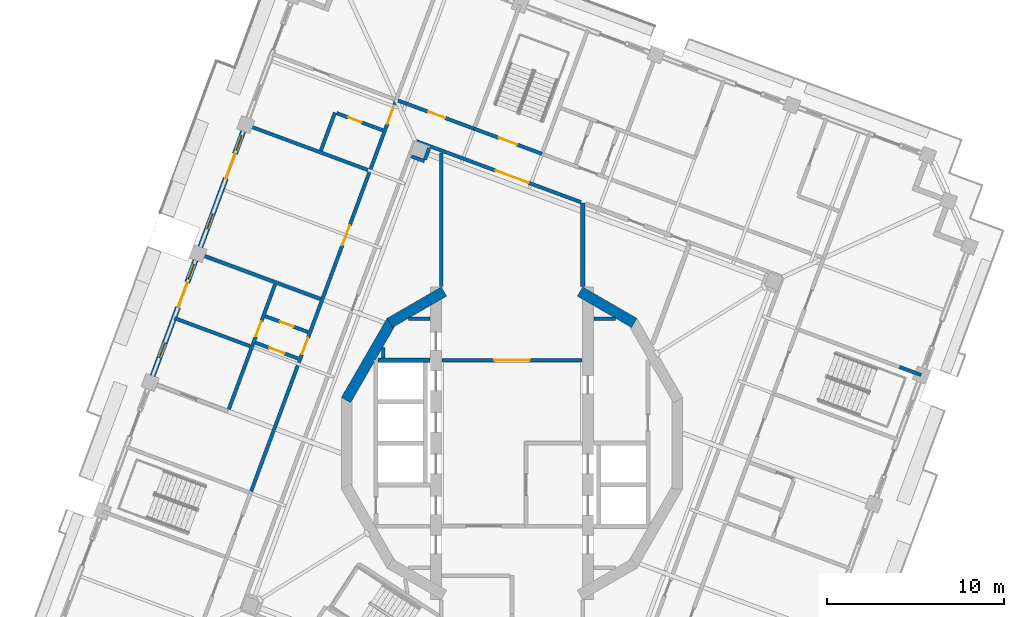
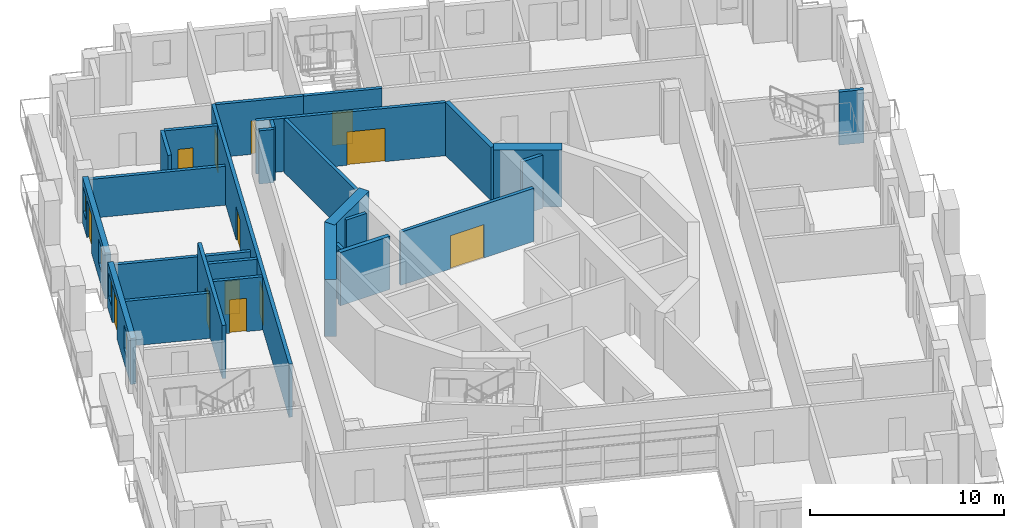
# One storey, part 9 of 19: 27 walls, 13 doors, 4 windows, 17 openings.
"""IFC4 building model written with IfcOpenShell, lengths in metres."""

from ifc_helpers import new_model, si_unit, direction, frame, frame_2d, origin, place, context, subcontext, project, spatial, rectangle, extrude, material, layer, layer_set, type_object, element, fill, save


model = new_model("IFC4")

# Units and contexts
model_context = context("Model", 3, precision=1e-05, world=origin(), true_north=direction((0.0, 1.0)))
body_context = subcontext(model_context, "Body", "Model", "MODEL_VIEW")
ifc_project = project(units=[si_unit("LENGTHUNIT", "METRE"), si_unit("AREAUNIT", "SQUARE_METRE"), si_unit("VOLUMEUNIT", "CUBIC_METRE"), si_unit("PLANEANGLEUNIT", "RADIAN"), si_unit("MASSUNIT", "GRAM", prefix="KILO")], contexts=[model_context])

# Site, building, storey
site_placement = place(None, origin())
site = spatial("IfcSite", under=ifc_project, at=site_placement, CompositionType="ELEMENT")
building_placement = place(site_placement, origin())
building = spatial("IfcBuilding", under=site, at=building_placement, Name="Cantera Rosa Tower", CompositionType="ELEMENT")
storey_placement = place(building_placement, frame((0.0, 0.0, 324.10009765625)))
storey = spatial("IfcBuildingStorey", under=building, at=storey_placement, Name="L72", CompositionType="ELEMENT", Elevation=324.10009765625)

# Wall, openings, doors
ifc_material_1 = material(Name="Gypsum board partition")
ifc_layer_1 = layer(ifc_material_1, 0.199951171875)
ifc_layer_set_1 = layer_set([ifc_layer_1], Name="CORRIDOR WALL 200 H3350")
wall_type_1 = type_object("IfcWallType", Name="CORRIDOR WALL 200 H3350", PredefinedType="PARTITIONING", material=ifc_layer_set_1)
wall_1_placement = place(storey_placement, frame((-6.5537109375, 19.438720703125, 0.0), z_axis=(0.0, 0.0, 1.0), x_axis=(-0.347483565428, -0.937686073138, 0.0)))
wall_1 = element("IfcWall", 1, at=wall_1_placement, inside=storey, type_object=wall_type_1, Name="CORRIDOR WALL L72-037", PredefinedType="PARTITIONING", context=body_context, shape_type="SweptSolid", body=[
    extrude(rectangle(XDim=23.730224609375, YDim=0.199951171875, at=frame_2d((11.865234375, 0.0))), origin(), (0.0, 0.0, 1.0), 3.349853515625),
])
opening_1_placement = place(wall_1_placement, frame((7.570068359375, 0.0, 0.0)))
opening_1 = element("IfcOpeningElement", 2, at=opening_1_placement, cuts=wall_1, Name="Opening L72-027", PredefinedType="OPENING", context=body_context, shape_type="SweptSolid", body=[
    extrude(rectangle(XDim=1.199951171875, YDim=2.10009765625, at=frame_2d((0.60009765625, 1.050048828125))), frame((0.0, 0.10986328125, 0.0), z_axis=(0.0, -1.0, 0.0), x_axis=(1.0, 0.0, 0.0)), (0.0, 0.0, 1.0), 0.219970703125),
])
opening_2_placement = place(wall_1_placement, frame((14.360107421875, 0.0, 0.0)))
opening_2 = element("IfcOpeningElement", 3, at=opening_2_placement, cuts=wall_1, Name="Opening L72-028", PredefinedType="OPENING", context=body_context, shape_type="SweptSolid", body=[
    extrude(rectangle(XDim=1.0, YDim=2.10009765625, at=frame_2d((0.5, 1.050048828125))), frame((0.0, 0.10986328125, 0.0), z_axis=(0.0, -1.0, 0.0), x_axis=(1.0, 0.0, 0.0)), (0.0, 0.0, 1.0), 0.219970703125),
])
opening_3_placement = place(wall_1_placement, frame((0.43994140625, 0.0, 0.0)))
opening_3 = element("IfcOpeningElement", 4, at=opening_3_placement, cuts=wall_1, Name="Opening L72-033", PredefinedType="OPENING", context=body_context, shape_type="SweptSolid", body=[
    extrude(rectangle(XDim=1.0, YDim=2.10009765625, at=frame_2d((0.5, 1.050048828125))), frame((0.0, 0.10986328125, 0.0), z_axis=(0.0, -1.0, 0.0), x_axis=(1.0, 0.0, 0.0)), (0.0, 0.0, 1.0), 0.219970703125),
])
ifc_material_2 = material(Name="Timber door leaf", Category="wood")
door_type_1 = type_object("IfcDoorType", Name="ENTRANCE DOOR 1000x2100", OperationType="NOTDEFINED", PredefinedType="DOOR", material=ifc_material_2)
door_1_placement = place(opening_2_placement, origin())
door_1 = element("IfcDoor", 5, at=door_1_placement, inside=storey, type_object=door_type_1, Name="DOOR L72-028", OperationType="NOTDEFINED", OverallHeight=2.10009765625, OverallWidth=1.0, PredefinedType="DOOR", context=body_context, shape_type="SweptSolid", body=[
    extrude(rectangle(XDim=1.0, YDim=2.10009765625, at=frame_2d((0.5, 1.050048828125))), frame((0.0, 0.02490234375, 0.0), z_axis=(0.0, -1.0, 0.0), x_axis=(1.0, 0.0, 0.0)), (0.0, 0.0, 1.0), 0.050048828125),
])
fill(opening_2, door_1)
door_2_placement = place(opening_3_placement, origin())
door_2 = element("IfcDoor", 6, at=door_2_placement, inside=storey, type_object=door_type_1, Name="DOOR L72-033", OperationType="NOTDEFINED", OverallHeight=2.10009765625, OverallWidth=1.0, PredefinedType="DOOR", context=body_context, shape_type="SweptSolid", body=[
    extrude(rectangle(XDim=1.0, YDim=2.10009765625, at=frame_2d((0.5, 1.050048828125))), frame((0.0, 0.02490234375, 0.0), z_axis=(0.0, -1.0, 0.0), x_axis=(1.0, 0.0, 0.0)), (0.0, 0.0, 1.0), 0.050048828125),
])
fill(opening_3, door_2)
ifc_material_3 = material(Name="Timber door leaf", Category="wood")
door_type_2 = type_object("IfcDoorType", Name="ROOM DOOR 1200x2100", OperationType="NOTDEFINED", PredefinedType="DOOR", material=ifc_material_3)
door_3_placement = place(opening_1_placement, origin())
door_3 = element("IfcDoor", 7, at=door_3_placement, inside=storey, type_object=door_type_2, Name="DOOR L72-027", OperationType="NOTDEFINED", OverallHeight=2.10009765625, OverallWidth=1.199951171875, PredefinedType="DOOR", context=body_context, shape_type="SweptSolid", body=[
    extrude(rectangle(XDim=1.199951171875, YDim=2.10009765625, at=frame_2d((0.60009765625, 1.050048828125))), frame((0.0, 0.02490234375, 0.0), z_axis=(0.0, -1.0, 0.0), x_axis=(1.0, 0.0, 0.0)), (0.0, 0.0, 1.0), 0.050048828125),
])
fill(opening_1, door_3)

# Wall
wall_2_placement = place(storey_placement, frame((-4.0, 16.4326171875, 0.0), z_axis=(0.0, 0.0, 1.0), x_axis=(0.0, -1.0, 0.0)))
element("IfcWall", 8, at=wall_2_placement, inside=storey, type_object=wall_type_1, Name="CORRIDOR WALL L72-052", PredefinedType="PARTITIONING", context=body_context, shape_type="SweptSolid", body=[
    extrude(rectangle(XDim=7.5537109375, YDim=0.199951171875, at=frame_2d((3.77685546875, 0.0))), origin(), (0.0, 0.0, 1.0), 3.349853515625),
])

# Wall, opening, door
wall_3_placement = place(storey_placement, frame((-3.969970703125, 4.699951171875, 0.0), z_axis=(0.0, 0.0, 1.0), x_axis=(1.0, 0.0, 0.0)))
wall_3 = element("IfcWall", 9, at=wall_3_placement, inside=storey, type_object=wall_type_1, Name="CORRIDOR WALL L72-053", PredefinedType="PARTITIONING", context=body_context, shape_type="SweptSolid", body=[
    extrude(rectangle(XDim=7.93994140625, YDim=0.199951171875, at=frame_2d((3.969970703125, 0.0))), origin(), (0.0, 0.0, 1.0), 3.349853515625),
])
opening_4_placement = place(wall_3_placement, frame((2.969970703125, 0.0, 0.0)))
opening_4 = element("IfcOpeningElement", 10, at=opening_4_placement, cuts=wall_3, Name="Opening L72-010", PredefinedType="OPENING", context=body_context, shape_type="SweptSolid", body=[
    extrude(rectangle(XDim=2.0, YDim=2.10009765625, at=frame_2d((1.0, 1.050048828125))), frame((0.0, 0.10986328125, 0.0), z_axis=(0.0, -1.0, 0.0), x_axis=(1.0, 0.0, 0.0)), (0.0, 0.0, 1.0), 0.219970703125),
])
ifc_material_4 = material(Name="Steel S355J2 (EN 10025-2)", Category="steel")
door_type_3 = type_object("IfcDoorType", Name="LOBBY SCREEN DOOR 2000x2100", OperationType="NOTDEFINED", PredefinedType="DOOR", material=ifc_material_4)
door_4_placement = place(opening_4_placement, origin())
door_4 = element("IfcDoor", 11, at=door_4_placement, inside=storey, type_object=door_type_3, Name="DOOR L72-010", OperationType="NOTDEFINED", OverallHeight=2.10009765625, OverallWidth=2.0, PredefinedType="DOOR", context=body_context, shape_type="SweptSolid", body=[
    extrude(rectangle(XDim=2.0, YDim=2.10009765625, at=frame_2d((1.0, 1.050048828125))), frame((0.0, 0.02490234375, 0.0), z_axis=(0.0, -1.0, 0.0), x_axis=(1.0, 0.0, 0.0)), (0.0, 0.0, 1.0), 0.050048828125),
])
fill(opening_4, door_4)

wall_4_placement = place(storey_placement, frame((-2.146728515625, 17.805419921875, 0.0), z_axis=(0.0, 0.0, 1.0), x_axis=(-0.937682514707, 0.347493167721, 0.0)))
wall_4 = element("IfcWall", 12, at=wall_4_placement, inside=storey, type_object=wall_type_1, Name="CORRIDOR WALL L72-054", PredefinedType="PARTITIONING", context=body_context, shape_type="SweptSolid", body=[
    extrude(rectangle(XDim=4.580078125, YDim=0.199951171875, at=frame_2d((2.2900390625, 0.0))), origin(), (0.0, 0.0, 1.0), 3.349853515625),
])
opening_5_placement = place(wall_4_placement, frame((1.75, 0.0, 0.0)))
opening_5 = element("IfcOpeningElement", 13, at=opening_5_placement, cuts=wall_4, Name="Opening L72-026", PredefinedType="OPENING", context=body_context, shape_type="SweptSolid", body=[
    extrude(rectangle(XDim=1.0, YDim=2.10009765625, at=frame_2d((0.5, 1.050048828125))), frame((0.0, 0.10986328125, 0.0), z_axis=(0.0, -1.0, 0.0), x_axis=(1.0, 0.0, 0.0)), (0.0, 0.0, 1.0), 0.219970703125),
])
ifc_material_5 = material(Name="Timber door leaf", Category="wood")
door_type_4 = type_object("IfcDoorType", Name="ROOM DOOR 1000x2100", OperationType="NOTDEFINED", PredefinedType="DOOR", material=ifc_material_5)
door_5_placement = place(opening_5_placement, origin())
door_5 = element("IfcDoor", 14, at=door_5_placement, inside=storey, type_object=door_type_4, Name="DOOR L72-026", OperationType="NOTDEFINED", OverallHeight=2.10009765625, OverallWidth=1.0, PredefinedType="DOOR", context=body_context, shape_type="SweptSolid", body=[
    extrude(rectangle(XDim=1.0, YDim=2.10009765625, at=frame_2d((0.5, 1.050048828125))), frame((0.0, 0.02490234375, 0.0), z_axis=(0.0, -1.0, 0.0), x_axis=(1.0, 0.0, 0.0)), (0.0, 0.0, 1.0), 0.050048828125),
])
fill(opening_5, door_5)

wall_5_placement = place(storey_placement, frame((3.90625, 13.642822265625, 0.0), z_axis=(0.0, 0.0, 1.0), x_axis=(-0.937688197535, 0.34747783268, 0.0)))
wall_5 = element("IfcWall", 15, at=wall_5_placement, inside=storey, type_object=wall_type_1, Name="CORRIDOR WALL L72-071", PredefinedType="PARTITIONING", context=body_context, shape_type="SweptSolid", body=[
    extrude(rectangle(XDim=9.922119140625, YDim=0.199951171875, at=frame_2d((4.9609375, 0.0))), origin(), (0.0, 0.0, 1.0), 3.349853515625),
])
opening_6_placement = place(wall_5_placement, frame((3.165771484375, 0.0, 0.0)))
opening_6 = element("IfcOpeningElement", 16, at=opening_6_placement, cuts=wall_5, Name="Opening L72-009", PredefinedType="OPENING", context=body_context, shape_type="SweptSolid", body=[
    extrude(rectangle(XDim=2.0, YDim=2.10009765625, at=frame_2d((1.0, 1.050048828125))), frame((0.0, 0.10986328125, 0.0), z_axis=(0.0, -1.0, 0.0), x_axis=(1.0, 0.0, 0.0)), (0.0, 0.0, 1.0), 0.219970703125),
])
door_6_placement = place(opening_6_placement, origin())
door_6 = element("IfcDoor", 17, at=door_6_placement, inside=storey, type_object=door_type_3, Name="DOOR L72-009", OperationType="NOTDEFINED", OverallHeight=2.10009765625, OverallWidth=2.0, PredefinedType="DOOR", context=body_context, shape_type="SweptSolid", body=[
    extrude(rectangle(XDim=2.0, YDim=2.10009765625, at=frame_2d((1.0, 1.050048828125))), frame((0.0, 0.02490234375, 0.0), z_axis=(0.0, -1.0, 0.0), x_axis=(1.0, 0.0, 0.0)), (0.0, 0.0, 1.0), 0.050048828125),
])
fill(opening_6, door_6)

# Wall, openings, windows, door
ifc_material_6 = material(Name="Hollow clay masonry with cantera stone cladding", Category="masonry")
ifc_layer_2 = layer(ifc_material_6, 0.300048828125)
ifc_layer_set_2 = layer_set([ifc_layer_2], Name="EW-LOGGIA 300 H2890")
wall_type_2 = type_object("IfcWallType", Name="EW-LOGGIA 300 H2890", PredefinedType="SOLIDWALL", material=ifc_layer_set_2)
wall_6_placement = place(storey_placement, frame((-15.212646484375, 17.65625, 0.0), z_axis=(0.0, 0.0, 1.0), x_axis=(-0.347502316452, -0.937679124253, 0.0)))
wall_6 = element("IfcWall", 18, at=wall_6_placement, inside=storey, type_object=wall_type_2, Name="EN-L72-W08", PredefinedType="SOLIDWALL", context=body_context, shape_type="SweptSolid", body=[
    extrude(rectangle(XDim=6.97998046875, YDim=0.300048828125, at=frame_2d((3.489990234375, 0.0))), origin(), (0.0, 0.0, 1.0), 2.889892578125),
])
opening_7_placement = place(wall_6_placement, frame((0.2451171875, 0.0, 0.89990234375)))
opening_7 = element("IfcOpeningElement", 19, at=opening_7_placement, cuts=wall_6, Name="Opening L72-W16", PredefinedType="OPENING", context=body_context, shape_type="SweptSolid", body=[
    extrude(rectangle(XDim=0.89990234375, YDim=1.5, at=frame_2d((0.449951171875, 0.75))), frame((0.0, 0.159912109375, 0.0), z_axis=(0.0, -1.0, 0.0), x_axis=(1.0, 0.0, 0.0)), (0.0, 0.0, 1.0), 0.320068359375),
])
opening_8_placement = place(wall_6_placement, frame((1.344970703125, 0.0, 0.0)))
opening_8 = element("IfcOpeningElement", 20, at=opening_8_placement, cuts=wall_6, Name="Opening L72-TD17", PredefinedType="OPENING", context=body_context, shape_type="SweptSolid", body=[
    extrude(rectangle(XDim=1.5, YDim=2.39990234375, at=frame_2d((0.75, 1.199951171875))), frame((0.0, 0.159912109375, 0.0), z_axis=(0.0, -1.0, 0.0), x_axis=(1.0, 0.0, 0.0)), (0.0, 0.0, 1.0), 0.320068359375),
])
opening_9_placement = place(wall_6_placement, frame((4.985107421875, 0.0, 0.89990234375)))
opening_9 = element("IfcOpeningElement", 21, at=opening_9_placement, cuts=wall_6, Name="Opening L72-W18", PredefinedType="OPENING", context=body_context, shape_type="SweptSolid", body=[
    extrude(rectangle(XDim=0.89990234375, YDim=1.5, at=frame_2d((0.449951171875, 0.75))), frame((0.0, 0.159912109375, 0.0), z_axis=(0.0, -1.0, 0.0), x_axis=(1.0, 0.0, 0.0)), (0.0, 0.0, 1.0), 0.320068359375),
])
ifc_material_7 = material(Name="Aluminium frame with clear glass", Category="aluminium")
window_type = type_object("IfcWindowType", Name="Residential window 900x1500", PartitioningType="SINGLE_PANEL", PredefinedType="WINDOW", material=ifc_material_7)
window_1_placement = place(opening_7_placement, origin())
window_1 = element("IfcWindow", 22, at=window_1_placement, inside=storey, type_object=window_type, Name="WINDOW L72-W16", OverallHeight=1.5, OverallWidth=0.89990234375, PartitioningType="SINGLE_PANEL", PredefinedType="WINDOW", context=body_context, shape_type="SweptSolid", body=[
    extrude(rectangle(XDim=0.89990234375, YDim=1.5, at=frame_2d((0.449951171875, 0.75))), frame((0.0, 0.030029296875, 0.0), z_axis=(0.0, -1.0, 0.0), x_axis=(1.0, 0.0, 0.0)), (0.0, 0.0, 1.0), 0.06005859375),
])
fill(opening_7, window_1)
window_2_placement = place(opening_9_placement, origin())
window_2 = element("IfcWindow", 23, at=window_2_placement, inside=storey, type_object=window_type, Name="WINDOW L72-W18", OverallHeight=1.5, OverallWidth=0.89990234375, PartitioningType="SINGLE_PANEL", PredefinedType="WINDOW", context=body_context, shape_type="SweptSolid", body=[
    extrude(rectangle(XDim=0.89990234375, YDim=1.5, at=frame_2d((0.449951171875, 0.75))), frame((0.0, 0.030029296875, 0.0), z_axis=(0.0, -1.0, 0.0), x_axis=(1.0, 0.0, 0.0)), (0.0, 0.0, 1.0), 0.06005859375),
])
fill(opening_9, window_2)
ifc_material_8 = material(Name="Aluminium frame with clear glass", Category="aluminium")
door_type_5 = type_object("IfcDoorType", Name="TD-R 1500x2400", OperationType="NOTDEFINED", PredefinedType="DOOR", material=ifc_material_8)
door_7_placement = place(opening_8_placement, origin())
door_7 = element("IfcDoor", 24, at=door_7_placement, inside=storey, type_object=door_type_5, Name="LOGGIA DOOR L72-TD17", OperationType="SLIDING_TO_LEFT", OverallHeight=2.39990234375, OverallWidth=1.5, PredefinedType="DOOR", context=body_context, shape_type="SweptSolid", body=[
    extrude(rectangle(XDim=1.5, YDim=2.39990234375, at=frame_2d((0.75, 1.199951171875))), frame((0.0, 0.02490234375, 0.0), z_axis=(0.0, -1.0, 0.0), x_axis=(1.0, 0.0, 0.0)), (0.0, 0.0, 1.0), 0.050048828125),
])
fill(opening_8, door_7)

wall_7_placement = place(storey_placement, frame((-17.916015625, 10.361083984375, 0.0), z_axis=(0.0, 0.0, 1.0), x_axis=(-0.347502316452, -0.937679124253, 0.0)))
wall_7 = element("IfcWall", 25, at=wall_7_placement, inside=storey, type_object=wall_type_2, Name="EN-L72-W09", PredefinedType="SOLIDWALL", context=body_context, shape_type="SweptSolid", body=[
    extrude(rectangle(XDim=6.97998046875, YDim=0.300048828125, at=frame_2d((3.489990234375, 0.0))), origin(), (0.0, 0.0, 1.0), 2.889892578125),
])
opening_10_placement = place(wall_7_placement, frame((0.2451171875, 0.0, 0.89990234375)))
opening_10 = element("IfcOpeningElement", 26, at=opening_10_placement, cuts=wall_7, Name="Opening L72-W19", PredefinedType="OPENING", context=body_context, shape_type="SweptSolid", body=[
    extrude(rectangle(XDim=0.89990234375, YDim=1.5, at=frame_2d((0.449951171875, 0.75))), frame((0.0, 0.159912109375, 0.0), z_axis=(0.0, -1.0, 0.0), x_axis=(1.0, 0.0, 0.0)), (0.0, 0.0, 1.0), 0.320068359375),
])
opening_11_placement = place(wall_7_placement, frame((1.344970703125, 0.0, 0.0)))
opening_11 = element("IfcOpeningElement", 27, at=opening_11_placement, cuts=wall_7, Name="Opening L72-TD20", PredefinedType="OPENING", context=body_context, shape_type="SweptSolid", body=[
    extrude(rectangle(XDim=1.5, YDim=2.39990234375, at=frame_2d((0.75, 1.199951171875))), frame((0.0, 0.159912109375, 0.0), z_axis=(0.0, -1.0, 0.0), x_axis=(1.0, 0.0, 0.0)), (0.0, 0.0, 1.0), 0.320068359375),
])
opening_12_placement = place(wall_7_placement, frame((4.985107421875, 0.0, 0.89990234375)))
opening_12 = element("IfcOpeningElement", 28, at=opening_12_placement, cuts=wall_7, Name="Opening L72-W21", PredefinedType="OPENING", context=body_context, shape_type="SweptSolid", body=[
    extrude(rectangle(XDim=0.89990234375, YDim=1.5, at=frame_2d((0.449951171875, 0.75))), frame((0.0, 0.159912109375, 0.0), z_axis=(0.0, -1.0, 0.0), x_axis=(1.0, 0.0, 0.0)), (0.0, 0.0, 1.0), 0.320068359375),
])
window_3_placement = place(opening_10_placement, origin())
window_3 = element("IfcWindow", 29, at=window_3_placement, inside=storey, type_object=window_type, Name="WINDOW L72-W19", OverallHeight=1.5, OverallWidth=0.89990234375, PartitioningType="SINGLE_PANEL", PredefinedType="WINDOW", context=body_context, shape_type="SweptSolid", body=[
    extrude(rectangle(XDim=0.89990234375, YDim=1.5, at=frame_2d((0.449951171875, 0.75))), frame((0.0, 0.030029296875, 0.0), z_axis=(0.0, -1.0, 0.0), x_axis=(1.0, 0.0, 0.0)), (0.0, 0.0, 1.0), 0.06005859375),
])
fill(opening_10, window_3)
window_4_placement = place(opening_12_placement, origin())
window_4 = element("IfcWindow", 30, at=window_4_placement, inside=storey, type_object=window_type, Name="WINDOW L72-W21", OverallHeight=1.5, OverallWidth=0.89990234375, PartitioningType="SINGLE_PANEL", PredefinedType="WINDOW", context=body_context, shape_type="SweptSolid", body=[
    extrude(rectangle(XDim=0.89990234375, YDim=1.5, at=frame_2d((0.449951171875, 0.75))), frame((0.0, 0.030029296875, 0.0), z_axis=(0.0, -1.0, 0.0), x_axis=(1.0, 0.0, 0.0)), (0.0, 0.0, 1.0), 0.06005859375),
])
fill(opening_12, window_4)
door_8_placement = place(opening_11_placement, origin())
door_8 = element("IfcDoor", 31, at=door_8_placement, inside=storey, type_object=door_type_5, Name="LOGGIA DOOR L72-TD20", OperationType="SLIDING_TO_LEFT", OverallHeight=2.39990234375, OverallWidth=1.5, PredefinedType="DOOR", context=body_context, shape_type="SweptSolid", body=[
    extrude(rectangle(XDim=1.5, YDim=2.39990234375, at=frame_2d((0.75, 1.199951171875))), frame((0.0, 0.02490234375, 0.0), z_axis=(0.0, -1.0, 0.0), x_axis=(1.0, 0.0, 0.0)), (0.0, 0.0, 1.0), 0.050048828125),
])
fill(opening_11, door_8)

# Wall
ifc_material_9 = material(Name="Gypsum board partition")
ifc_layer_3 = layer(ifc_material_9, 0.199951171875)
ifc_layer_set_3 = layer_set([ifc_layer_3], Name="PARTITION 200 H2850")
wall_type_3 = type_object("IfcWallType", Name="PARTITION 200 H2850", PredefinedType="PARTITIONING", material=ifc_layer_set_3)
wall_8_placement = place(storey_placement, frame((-14.834228515625, 5.497314453125, 0.0), z_axis=(0.0, 0.0, 1.0), x_axis=(-0.937700205551, 0.347445426663, 0.0)))
element("IfcWall", 32, at=wall_8_placement, inside=storey, type_object=wall_type_3, Name="PARTITION L72-014", PredefinedType="PARTITIONING", context=body_context, shape_type="SweptSolid", body=[
    extrude(rectangle(XDim=4.5498046875, YDim=0.199951171875, at=frame_2d((2.27490234375, 0.0))), origin(), (0.0, 0.0, 1.0), 2.849853515625),
])

# Wall, opening, door
ifc_material_10 = material(Name="Gypsum board partition")
ifc_layer_4 = layer(ifc_material_10, 0.199951171875)
ifc_layer_set_4 = layer_set([ifc_layer_4], Name="PARTITION 200 H3350")
wall_type_4 = type_object("IfcWallType", Name="PARTITION 200 H3350", PredefinedType="PARTITIONING", material=ifc_layer_set_4)
wall_9_placement = place(storey_placement, frame((-13.41162109375, 8.990478515625, 0.0), z_axis=(0.0, 0.0, 1.0), x_axis=(-0.347497846583, -0.937680780767, 0.0)))
wall_9 = element("IfcWall", 33, at=wall_9_placement, inside=storey, type_object=wall_type_4, Name="PARTITION L72-017", PredefinedType="PARTITIONING", context=body_context, shape_type="SweptSolid", body=[
    extrude(rectangle(XDim=7.5400390625, YDim=0.199951171875, at=frame_2d((3.77001953125, 0.0))), origin(), (0.0, 0.0, 1.0), 3.349853515625),
])
opening_13_placement = place(wall_9_placement, frame((2.22998046875, 0.0, 0.0)))
opening_13 = element("IfcOpeningElement", 34, at=opening_13_placement, cuts=wall_9, Name="Opening L72-031", PredefinedType="OPENING", context=body_context, shape_type="SweptSolid", body=[
    extrude(rectangle(XDim=0.89990234375, YDim=2.10009765625, at=frame_2d((0.449951171875, 1.050048828125))), frame((0.0, 0.10986328125, 0.0), z_axis=(0.0, -1.0, 0.0), x_axis=(1.0, 0.0, 0.0)), (0.0, 0.0, 1.0), 0.219970703125),
])
ifc_material_11 = material(Name="Timber door leaf", Category="wood")
door_type_6 = type_object("IfcDoorType", Name="ROOM DOOR 900x2100", OperationType="NOTDEFINED", PredefinedType="DOOR", material=ifc_material_11)
door_9_placement = place(opening_13_placement, origin())
door_9 = element("IfcDoor", 35, at=door_9_placement, inside=storey, type_object=door_type_6, Name="DOOR L72-031", OperationType="NOTDEFINED", OverallHeight=2.10009765625, OverallWidth=0.89990234375, PredefinedType="DOOR", context=body_context, shape_type="SweptSolid", body=[
    extrude(rectangle(XDim=0.89990234375, YDim=2.10009765625, at=frame_2d((0.449951171875, 1.050048828125))), frame((0.0, 0.02490234375, 0.0), z_axis=(0.0, -1.0, 0.0), x_axis=(1.0, 0.0, 0.0)), (0.0, 0.0, 1.0), 0.050048828125),
])
fill(opening_13, door_9)

wall_10_placement = place(storey_placement, frame((-12.10791015625, 4.796142578125, 0.0), z_axis=(0.0, 0.0, 1.0), x_axis=(-0.937687105286, 0.34748078016, 0.0)))
wall_10 = element("IfcWall", 36, at=wall_10_placement, inside=storey, type_object=wall_type_4, Name="PARTITION L72-019", PredefinedType="PARTITIONING", context=body_context, shape_type="SweptSolid", body=[
    extrude(rectangle(XDim=2.579833984375, YDim=0.199951171875, at=frame_2d((1.2900390625, 0.0))), origin(), (0.0, 0.0, 1.0), 3.349853515625),
])
opening_14_placement = place(wall_10_placement, frame((0.830078125, 0.0, 0.0)))
opening_14 = element("IfcOpeningElement", 37, at=opening_14_placement, cuts=wall_10, Name="Opening L72-030", PredefinedType="OPENING", context=body_context, shape_type="SweptSolid", body=[
    extrude(rectangle(XDim=0.89990234375, YDim=2.10009765625, at=frame_2d((0.449951171875, 1.050048828125))), frame((0.0, 0.10986328125, 0.0), z_axis=(0.0, -1.0, 0.0), x_axis=(1.0, 0.0, 0.0)), (0.0, 0.0, 1.0), 0.219970703125),
])
door_10_placement = place(opening_14_placement, origin())
door_10 = element("IfcDoor", 38, at=door_10_placement, inside=storey, type_object=door_type_6, Name="DOOR L72-030", OperationType="NOTDEFINED", OverallHeight=2.10009765625, OverallWidth=0.89990234375, PredefinedType="DOOR", context=body_context, shape_type="SweptSolid", body=[
    extrude(rectangle(XDim=0.89990234375, YDim=2.10009765625, at=frame_2d((0.449951171875, 1.050048828125))), frame((0.0, 0.02490234375, 0.0), z_axis=(0.0, -1.0, 0.0), x_axis=(1.0, 0.0, 0.0)), (0.0, 0.0, 1.0), 0.050048828125),
])
fill(opening_14, door_10)

wall_11_placement = place(storey_placement, frame((-11.552001953125, 6.29638671875, 0.0), z_axis=(0.0, 0.0, 1.0), x_axis=(-0.937687105286, 0.34748078016, 0.0)))
wall_11 = element("IfcWall", 39, at=wall_11_placement, inside=storey, type_object=wall_type_4, Name="PARTITION L72-020", PredefinedType="PARTITIONING", context=body_context, shape_type="SweptSolid", body=[
    extrude(rectangle(XDim=2.579833984375, YDim=0.199951171875, at=frame_2d((1.2900390625, 0.0))), origin(), (0.0, 0.0, 1.0), 3.349853515625),
])
opening_15_placement = place(wall_11_placement, frame((0.8798828125, 0.0, 0.0)))
opening_15 = element("IfcOpeningElement", 40, at=opening_15_placement, cuts=wall_11, Name="Opening L72-029", PredefinedType="OPENING", context=body_context, shape_type="SweptSolid", body=[
    extrude(rectangle(XDim=0.800048828125, YDim=2.10009765625, at=frame_2d((0.39990234375, 1.050048828125))), frame((0.0, 0.10986328125, 0.0), z_axis=(0.0, -1.0, 0.0), x_axis=(1.0, 0.0, 0.0)), (0.0, 0.0, 1.0), 0.219970703125),
])
ifc_material_12 = material(Name="Timber door leaf", Category="wood")
door_type_7 = type_object("IfcDoorType", Name="BATHROOM DOOR 800x2100", OperationType="NOTDEFINED", PredefinedType="DOOR", material=ifc_material_12)
door_11_placement = place(opening_15_placement, origin())
door_11 = element("IfcDoor", 41, at=door_11_placement, inside=storey, type_object=door_type_7, Name="DOOR L72-029", OperationType="NOTDEFINED", OverallHeight=2.10009765625, OverallWidth=0.800048828125, PredefinedType="DOOR", context=body_context, shape_type="SweptSolid", body=[
    extrude(rectangle(XDim=0.800048828125, YDim=2.10009765625, at=frame_2d((0.39990234375, 1.050048828125))), frame((0.0, 0.02490234375, 0.0), z_axis=(0.0, -1.0, 0.0), x_axis=(1.0, 0.0, 0.0)), (0.0, 0.0, 1.0), 0.050048828125),
])
fill(opening_15, door_11)

# Wall
wall_12_placement = place(storey_placement, frame((-10.8193359375, 16.5615234375, 0.0), z_axis=(0.0, 0.0, 1.0), x_axis=(0.347421525632, 0.937709061238, 0.0)))
element("IfcWall", 42, at=wall_12_placement, inside=storey, type_object=wall_type_4, Name="PARTITION L72-023", PredefinedType="PARTITIONING", context=body_context, shape_type="SweptSolid", body=[
    extrude(rectangle(XDim=2.300048828125, YDim=0.199951171875, at=frame_2d((1.14990234375, 0.0))), origin(), (0.0, 0.0, 1.0), 3.349853515625),
])

# Wall, opening, door
wall_13_placement = place(storey_placement, frame((-9.926513671875, 18.68359375, 0.0), z_axis=(0.0, 0.0, 1.0), x_axis=(0.937686247686, -0.347483094409, 0.0)))
wall_13 = element("IfcWall", 43, at=wall_13_placement, inside=storey, type_object=wall_type_4, Name="PARTITION L72-028", PredefinedType="PARTITIONING", context=body_context, shape_type="SweptSolid", body=[
    extrude(rectangle(XDim=2.7802734375, YDim=0.199951171875, at=frame_2d((1.39013671875, 0.0))), origin(), (0.0, 0.0, 1.0), 3.349853515625),
])
opening_16_placement = place(wall_13_placement, frame((0.699951171875, 0.0, 0.0)))
opening_16 = element("IfcOpeningElement", 44, at=opening_16_placement, cuts=wall_13, Name="Opening L72-034", PredefinedType="OPENING", context=body_context, shape_type="SweptSolid", body=[
    extrude(rectangle(XDim=0.800048828125, YDim=2.10009765625, at=frame_2d((0.39990234375, 1.050048828125))), frame((0.0, 0.10986328125, 0.0), z_axis=(0.0, -1.0, 0.0), x_axis=(1.0, 0.0, 0.0)), (0.0, 0.0, 1.0), 0.219970703125),
])
door_12_placement = place(opening_16_placement, origin())
door_12 = element("IfcDoor", 45, at=door_12_placement, inside=storey, type_object=door_type_7, Name="DOOR L72-034", OperationType="NOTDEFINED", OverallHeight=2.10009765625, OverallWidth=0.800048828125, PredefinedType="DOOR", context=body_context, shape_type="SweptSolid", body=[
    extrude(rectangle(XDim=0.800048828125, YDim=2.10009765625, at=frame_2d((0.39990234375, 1.050048828125))), frame((0.0, 0.02490234375, 0.0), z_axis=(0.0, -1.0, 0.0), x_axis=(1.0, 0.0, 0.0)), (0.0, 0.0, 1.0), 0.050048828125),
])
fill(opening_16, door_12)

# Walls
wall_14_placement = place(storey_placement, frame((-7.300048828125, 4.824951171875, 0.0), z_axis=(0.0, 0.0, 1.0), x_axis=(0.0, 1.0, 0.0)))
element("IfcWall", 46, at=wall_14_placement, inside=storey, type_object=wall_type_4, Name="PARTITION L72-036", PredefinedType="PARTITIONING", context=body_context, shape_type="SweptSolid", body=[
    extrude(rectangle(XDim=0.589599609375, YDim=0.199951171875, at=frame_2d((0.294921875, 0.0))), origin(), (0.0, 0.0, 1.0), 3.349853515625),
])
wall_15_placement = place(storey_placement, frame((-5.84765625, 7.050048828125, 0.0), z_axis=(0.0, 0.0, 1.0), x_axis=(1.0, 0.0, 0.0)))
element("IfcWall", 47, at=wall_15_placement, inside=storey, type_object=wall_type_4, Name="PARTITION L72-042", PredefinedType="PARTITIONING", context=body_context, shape_type="SweptSolid", body=[
    extrude(rectangle(XDim=1.2177734375, YDim=0.199951171875, at=frame_2d((0.60888671875, 0.0))), origin(), (0.0, 0.0, 1.0), 3.349853515625),
])
wall_16_placement = place(storey_placement, frame((-5.691650390625, 16.23974609375, 0.0), z_axis=(0.0, 0.0, 1.0), x_axis=(0.93771100034, -0.347416291848, 0.0)))
element("IfcWall", 48, at=wall_16_placement, inside=storey, type_object=wall_type_4, Name="PARTITION L72-043", PredefinedType="PARTITIONING", context=body_context, shape_type="SweptSolid", body=[
    extrude(rectangle(XDim=0.780029296875, YDim=0.199951171875, at=frame_2d((0.39013671875, 0.0))), origin(), (0.0, 0.0, 1.0), 3.349853515625),
])
wall_17_placement = place(storey_placement, frame((-4.925537109375, 16.0625, 0.0), z_axis=(0.0, 0.0, 1.0), x_axis=(0.347501421626, 0.937679455874, 0.0)))
element("IfcWall", 49, at=wall_17_placement, inside=storey, type_object=wall_type_4, Name="PARTITION L72-046", PredefinedType="PARTITIONING", context=body_context, shape_type="SweptSolid", body=[
    extrude(rectangle(XDim=0.68017578125, YDim=0.199951171875, at=frame_2d((0.340087890625, 0.0))), origin(), (0.0, 0.0, 1.0), 3.349853515625),
])
wall_18_placement = place(storey_placement, frame((4.6298828125, 7.050048828125, 0.0), z_axis=(0.0, 0.0, 1.0), x_axis=(1.0, 0.0, 0.0)))
element("IfcWall", 50, at=wall_18_placement, inside=storey, type_object=wall_type_4, Name="PARTITION L72-074", PredefinedType="PARTITIONING", context=body_context, shape_type="SweptSolid", body=[
    extrude(rectangle(XDim=1.2177734375, YDim=0.199951171875, at=frame_2d((0.60888671875, 0.0))), origin(), (0.0, 0.0, 1.0), 3.349853515625),
])
ifc_material_13 = material(Name="Gypsum board partition")
ifc_layer_5 = layer(ifc_material_13, 0.199951171875)
ifc_layer_set_5 = layer_set([ifc_layer_5], Name="PARTY WALL 200 H2450")
wall_type_5 = type_object("IfcWallType", Name="PARTY WALL 200 H2450", PredefinedType="PARTITIONING", material=ifc_layer_set_5)
for number, where, z_axis, x_axis, name in (
    (51, (-15.045654296875, 18.02099609375, 0.0), (0.0, 0.0, 1.0), (0.937689847803, -0.347473379308, 0.0), "PARTY WALL L72-012"),
    (52, (-10.85693359375, 8.171875, 0.0), (0.0, 0.0, 1.0), (-0.937689847803, 0.347473379308, 0.0), "PARTY WALL L72-024"),
):
    element("IfcWall", number, at=place(storey_placement, frame(where, z_axis=z_axis, x_axis=x_axis)), inside=storey, type_object=wall_type_5, Name=name, PredefinedType="PARTITIONING", context=body_context, shape_type="SweptSolid", body=[
        extrude(rectangle(XDim=7.35009765625, YDim=0.199951171875, at=frame_2d((3.675048828125, 0.0))), origin(), (0.0, 0.0, 1.0), 2.449951171875),
    ])
ifc_material_14 = material(Name="Concrete C50/60", Category="concrete")
ifc_layer_6 = layer(ifc_material_14, 0.60009765625)
ifc_layer_set_6 = layer_set([ifc_layer_6], Name="RC CORE WALL 600 C50/60")
wall_type_6 = type_object("IfcWallType", Name="RC CORE WALL 600 C50/60", PredefinedType="SHEAR", material=ifc_layer_set_6)
wall_19_placement = place(storey_placement, frame((-9.3994140625, 2.438232421875, 0.0), z_axis=(0.0, 0.0, 1.0), x_axis=(0.499989188378, 0.866031645787, 0.0)))
element("IfcWall", 53, at=wall_19_placement, inside=storey, type_object=wall_type_6, Name="CW-W4 L72", PredefinedType="SHEAR", context=body_context, shape_type="SweptSolid", body=[
    extrude(rectangle(XDim=5.17626953125, YDim=0.60009765625, at=frame_2d((2.588134765625, 0.0))), origin(), (0.0, 0.0, 1.0), 3.599853515625),
])
for number, where, z_axis, x_axis, name in (
    (54, (-6.921142578125, 6.811279296875, 0.0), (0.0, 0.0, 1.0), (0.866039982607, 0.499974747889, 0.0), "CW-W5 L72"),
    (55, (3.85009765625, 8.584228515625, 0.0), (0.0, 0.0, 1.0), (0.866039982607, -0.499974747889, 0.0), "CW-E1 L72"),
):
    element("IfcWall", number, at=place(storey_placement, frame(where, z_axis=z_axis, x_axis=x_axis)), inside=storey, type_object=wall_type_6, Name=name, PredefinedType="SHEAR", context=body_context, shape_type="SweptSolid", body=[
        extrude(rectangle(XDim=3.546142578125, YDim=0.60009765625, at=frame_2d((1.77294921875, 0.0))), origin(), (0.0, 0.0, 1.0), 3.599853515625),
    ])
ifc_material_15 = material(Name="Masonry blockwork", Category="masonry")
ifc_layer_7 = layer(ifc_material_15, 0.25)
ifc_layer_set_7 = layer_set([ifc_layer_7], Name="SHAFT WALL 250 H3350")
wall_type_7 = type_object("IfcWallType", Name="SHAFT WALL 250 H3350", PredefinedType="SOLIDWALL", material=ifc_layer_set_7)
wall_20_placement = place(storey_placement, frame((-7.580078125, 4.699951171875, 0.0), z_axis=(0.0, 0.0, 1.0), x_axis=(1.0, 0.0, 0.0)))
element("IfcWall", 56, at=wall_20_placement, inside=storey, type_object=wall_type_7, Name="SHAFT WALL L72-035", PredefinedType="SOLIDWALL", context=body_context, shape_type="SweptSolid", body=[
    extrude(rectangle(XDim=2.9501953125, YDim=0.25, at=frame_2d((1.47509765625, 0.0))), origin(), (0.0, 0.0, 1.0), 3.349853515625),
])
wall_21_placement = place(storey_placement, frame((4.0, 8.87890625, 0.0), z_axis=(0.0, 0.0, 1.0), x_axis=(0.0, 1.0, 0.0)))
element("IfcWall", 57, at=wall_21_placement, inside=storey, type_object=wall_type_7, Name="SHAFT WALL L72-070", PredefinedType="SOLIDWALL", context=body_context, shape_type="SweptSolid", body=[
    extrude(rectangle(XDim=4.72900390625, YDim=0.25, at=frame_2d((2.364501953125, 0.0))), origin(), (0.0, 0.0, 1.0), 3.349853515625),
])

# Wall, opening, door
ifc_material_16 = material(Name="Concrete C50/60", Category="concrete")
ifc_layer_8 = layer(ifc_material_16, 0.199951171875)
ifc_layer_set_8 = layer_set([ifc_layer_8], Name="STAIR WALL 200 H3350")
wall_type_8 = type_object("IfcWallType", Name="STAIR WALL 200 H3350", PredefinedType="SOLIDWALL", material=ifc_layer_set_8)
wall_22_placement = place(storey_placement, frame((-2.146728515625, 17.805419921875, 0.0), z_axis=(0.0, 0.0, 1.0), x_axis=(0.937694876531, -0.347459808507, 0.0)))
wall_22 = element("IfcWall", 58, at=wall_22_placement, inside=storey, type_object=wall_type_8, Name="STAIR WALL L72-055", PredefinedType="SOLIDWALL", context=body_context, shape_type="SweptSolid", body=[
    extrude(rectangle(XDim=4.099853515625, YDim=0.199951171875, at=frame_2d((2.0498046875, 0.0))), origin(), (0.0, 0.0, 1.0), 3.349853515625),
])
opening_17_placement = place(wall_22_placement, frame((1.5, 0.0, 0.0)))
opening_17 = element("IfcOpeningElement", 59, at=opening_17_placement, cuts=wall_22, Name="Opening L72-002", PredefinedType="OPENING", context=body_context, shape_type="SweptSolid", body=[
    extrude(rectangle(XDim=1.10009765625, YDim=2.10009765625, at=frame_2d((0.550048828125, 1.050048828125))), frame((0.0, 0.10986328125, 0.0), z_axis=(0.0, -1.0, 0.0), x_axis=(1.0, 0.0, 0.0)), (0.0, 0.0, 1.0), 0.219970703125),
])
ifc_material_17 = material(Name="Steel S355J2 (EN 10025-2)", Category="steel")
door_type_8 = type_object("IfcDoorType", Name="STAIR DOOR 1100x2100", OperationType="NOTDEFINED", PredefinedType="DOOR", material=ifc_material_17)
door_13_placement = place(opening_17_placement, origin())
door_13 = element("IfcDoor", 60, at=door_13_placement, inside=storey, type_object=door_type_8, Name="DOOR L72-002", OperationType="NOTDEFINED", OverallHeight=2.10009765625, OverallWidth=1.10009765625, PredefinedType="DOOR", context=body_context, shape_type="SweptSolid", body=[
    extrude(rectangle(XDim=1.10009765625, YDim=2.10009765625, at=frame_2d((0.550048828125, 1.050048828125))), frame((0.0, 0.02490234375, 0.0), z_axis=(0.0, -1.0, 0.0), x_axis=(1.0, 0.0, 0.0)), (0.0, 0.0, 1.0), 0.050048828125),
])
fill(opening_17, door_13)

# Wall
wall_23_placement = place(storey_placement, frame((23.15576171875, 3.864501953125, 0.0), z_axis=(0.0, 0.0, 1.0), x_axis=(-0.937642248704, 0.347601802994, 0.0)))
element("IfcWall", 61, at=wall_23_placement, inside=storey, type_object=wall_type_8, Name="STAIR WALL L72-107", PredefinedType="SOLIDWALL", context=body_context, shape_type="SweptSolid", body=[
    extrude(rectangle(XDim=1.300048828125, YDim=0.199951171875, at=frame_2d((0.64990234375, 0.0))), origin(), (0.0, 0.0, 1.0), 3.349853515625),
])

save(model, "model.ifc")
